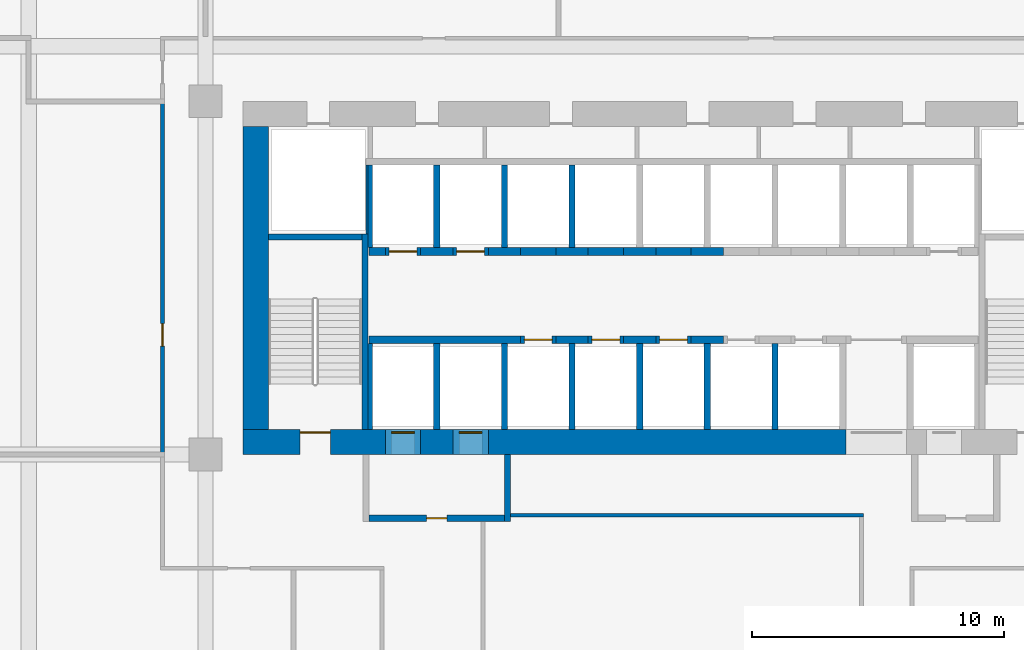
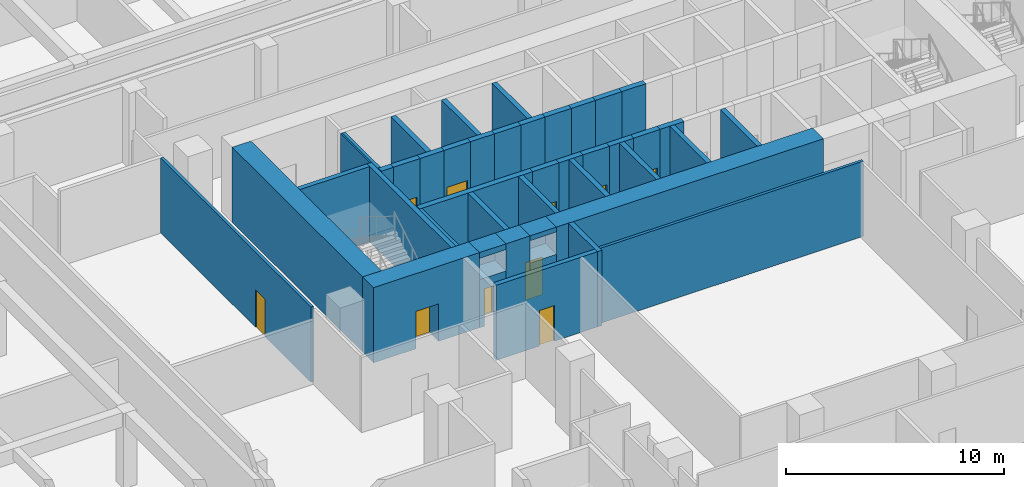
# One storey, part 17 of 35: 44 walls, 10 doors, 10 openings.
"""IFC4 building model written with IfcOpenShell, lengths in metres."""

from ifc_helpers import new_model, si_unit, direction, frame, frame_2d, origin, place, context, subcontext, project, spatial, rectangle, extrude, source, transform, mapped, material, layer, layer_set, type_object, element, fill, save


model = new_model("IFC4")

# Units and contexts
model_context = context("Model", 3, precision=1e-05, world=origin(), true_north=direction((0.0, 1.0)))
body_context = subcontext(model_context, "Body", "Model", "MODEL_VIEW")
ifc_project = project(units=[si_unit("LENGTHUNIT", "METRE"), si_unit("AREAUNIT", "SQUARE_METRE"), si_unit("VOLUMEUNIT", "CUBIC_METRE"), si_unit("PLANEANGLEUNIT", "RADIAN"), si_unit("MASSUNIT", "GRAM", prefix="KILO")], contexts=[model_context])

# Site, building, storey
site_placement = place(None, origin())
site = spatial("IfcSite", under=ifc_project, at=site_placement, CompositionType="ELEMENT")
building_placement = place(site_placement, origin())
building = spatial("IfcBuilding", under=site, at=building_placement, Name="Kilnfold Tower and Market Hall", CompositionType="ELEMENT")
storey_placement = place(building_placement, frame((0.0, 0.0, 22.5)))
storey = spatial("IfcBuildingStorey", under=building, at=storey_placement, Name="L04", CompositionType="ELEMENT", Elevation=22.5)

# Wall, opening, door
ifc_material_1 = material(Name="Gypsum board on steel studs", Category="steel")
ifc_layer_1 = layer(ifc_material_1, 0.14990234375)
ifc_layer_set_1 = layer_set([ifc_layer_1], Name="Gypsum board on steel studs")
wall_type_1 = type_object("IfcWallType", Name="WALL CORRIDOR 150", PredefinedType="PARTITIONING", material=ifc_layer_set_1)
wall_1_placement = place(storey_placement, frame((-19.199951171875, 8.090087890625, 0.0), z_axis=(0.0, 0.0, 1.0), x_axis=(0.0, 1.0, 0.0)))
wall_1 = element("IfcWall", 1, at=wall_1_placement, inside=storey, type_object=wall_type_1, Name="Partition LY05.31", PredefinedType="PARTITIONING", context=body_context, shape_type="SweptSolid", body=[
    extrude(rectangle(XDim=13.81982421875, YDim=0.14990234375, at=frame_2d((6.909912109375, 0.0))), origin(), (0.0, 0.0, 1.0), 4.219970703125),
])
opening_1_placement = place(wall_1_placement, frame((4.2060546875, 0.0, 0.0)))
opening_1 = element("IfcOpeningElement", 2, at=opening_1_placement, cuts=wall_1, Name="Opening D2", PredefinedType="OPENING", context=body_context, shape_type="SweptSolid", body=[
    extrude(rectangle(XDim=0.89990234375, YDim=2.10009765625, at=frame_2d((0.449951171875, 1.050048828125))), frame((0.0, 0.0849609375, 0.0), z_axis=(0.0, -1.0, 0.0), x_axis=(1.0, 0.0, 0.0)), (0.0, 0.0, 1.0), 0.169921875),
])
ifc_material_2 = material(Name="Timber veneer door leaf in steel frame", Category="steel")
door_type_1 = type_object("IfcDoorType", Name="DOOR ROOM 900 X2100", OperationType="NOTDEFINED", PredefinedType="DOOR", material=ifc_material_2)
door_1_placement = place(opening_1_placement, origin())
door_1 = element("IfcDoor", 3, at=door_1_placement, inside=storey, type_object=door_type_1, Name="Door D2", OperationType="SINGLE_SWING_RIGHT", OverallHeight=2.10009765625, OverallWidth=0.89990234375, PredefinedType="DOOR", context=body_context, shape_type="SweptSolid", body=[
    extrude(rectangle(XDim=0.89990234375, YDim=2.10009765625, at=frame_2d((0.449951171875, 1.050048828125))), frame((0.0, 0.02490234375, 0.0), z_axis=(0.0, -1.0, 0.0), x_axis=(1.0, 0.0, 0.0)), (0.0, 0.0, 1.0), 0.050048828125),
])
fill(opening_1, door_1)

# Wall
wall_2_placement = place(storey_placement, frame((-5.39990234375, 5.60009765625, 0.0), z_axis=(0.0, 0.0, 1.0), x_axis=(1.0, 0.0, 0.0)))
element("IfcWall", 4, at=wall_2_placement, inside=storey, type_object=wall_type_1, Name="Partition LY05.37", PredefinedType="PARTITIONING", context=body_context, shape_type="SweptSolid", body=[
    extrude(rectangle(XDim=13.974853515625, YDim=0.14990234375, at=frame_2d((6.9873046875, 0.0))), origin(), (0.0, 0.0, 1.0), 4.219970703125),
])

# Wall, opening, door
ifc_material_3 = material(Name="Concrete C80", Category="concrete")
ifc_layer_2 = layer(ifc_material_3, 1.0)
ifc_layer_set_2 = layer_set([ifc_layer_2], Name="Concrete C80")
wall_type_2 = type_object("IfcWallType", Name="CORE WALL 1000 C80", PredefinedType="SHEAR", material=ifc_layer_set_2)
shared_shape_1 = source(origin(), body_context, "Body", "SweptSolid", [
    extrude(rectangle(XDim=5.6298828125, YDim=1.0, at=frame_2d((2.81494140625, 0.0))), origin(), (0.0, 0.0, 1.0), 4.219970703125),
])
wall_3_placement = place(storey_placement, frame((-16.0, 8.5, 0.0), z_axis=(0.0, 0.0, 1.0), x_axis=(1.0, 0.0, 0.0)))
wall_3 = element("IfcWall", 5, at=wall_3_placement, inside=storey, type_object=wall_type_2, Name="Core outer wall south", PredefinedType="SHEAR", context=body_context, shape_type="MappedRepresentation", body=[
    mapped(shared_shape_1, transform((0.0, 0.0, 0.0))),
])
opening_2_placement = place(wall_3_placement, frame((2.25, 0.0, 0.0)))
opening_2 = element("IfcOpeningElement", 6, at=opening_2_placement, cuts=wall_3, Name="Opening SD1", PredefinedType="OPENING", context=body_context, shape_type="SweptSolid", body=[
    extrude(rectangle(XDim=1.199951171875, YDim=2.10009765625, at=frame_2d((0.60009765625, 1.050048828125))), frame((0.0, 0.510009765625, 0.0), z_axis=(0.0, -1.0, 0.0), x_axis=(1.0, 0.0, 0.0)), (0.0, 0.0, 1.0), 1.02001953125),
])
ifc_material_4 = material(Name="Steel door set with fire-resisting leaf", Category="steel")
door_type_2 = type_object("IfcDoorType", Name="STAIR FLOOR DOOR 1200X2100", OperationType="NOTDEFINED", PredefinedType="DOOR", material=ifc_material_4)
door_2_placement = place(opening_2_placement, origin())
door_2 = element("IfcDoor", 7, at=door_2_placement, inside=storey, type_object=door_type_2, Name="Exit stair ST1 door", OperationType="DOUBLE_DOOR_SINGLE_SWING", OverallHeight=2.10009765625, OverallWidth=1.199951171875, PredefinedType="DOOR", context=body_context, shape_type="SweptSolid", body=[
    extrude(rectangle(XDim=1.199951171875, YDim=2.10009765625, at=frame_2d((0.60009765625, 1.050048828125))), frame((0.0, 0.40478515625, 0.0), z_axis=(0.0, -1.0, 0.0), x_axis=(1.0, 0.0, 0.0)), (0.0, 0.0, 1.0), 0.050048828125),
])
fill(opening_2, door_2)

# Walls
shared_shape_2 = source(origin(), body_context, "Body", "SweptSolid", [
    extrude(rectangle(XDim=1.280029296875, YDim=1.0, at=frame_2d((0.64013671875, 0.0))), origin(), (0.0, 0.0, 1.0), 4.219970703125),
])
wall_4_placement = place(storey_placement, frame((-8.969970703125, 8.5, 0.0), z_axis=(0.0, 0.0, 1.0), x_axis=(1.0, 0.0, 0.0)))
element("IfcWall", 8, at=wall_4_placement, inside=storey, type_object=wall_type_2, Name="Core outer wall south", PredefinedType="SHEAR", context=body_context, shape_type="MappedRepresentation", body=[
    mapped(shared_shape_2, transform((0.0, 0.0, 0.0))),
])
shared_shape_3 = source(origin(), body_context, "Body", "SweptSolid", [
    extrude(rectangle(XDim=14.179931640625, YDim=1.0, at=frame_2d((7.08984375, 0.0))), origin(), (0.0, 0.0, 1.0), 4.219970703125),
])
wall_5_placement = place(storey_placement, frame((-6.2900390625, 8.5, 0.0), z_axis=(0.0, 0.0, 1.0), x_axis=(1.0, 0.0, 0.0)))
element("IfcWall", 9, at=wall_5_placement, inside=storey, type_object=wall_type_2, Name="Core outer wall south", PredefinedType="SHEAR", context=body_context, shape_type="MappedRepresentation", body=[
    mapped(shared_shape_3, transform((0.0, 0.0, 0.0))),
])
shared_shape_4 = source(origin(), body_context, "Body", "SweptSolid", [
    extrude(rectangle(XDim=12.0, YDim=1.0, at=frame_2d((6.0, 0.0))), origin(), (0.0, 0.0, 1.0), 4.219970703125),
])
wall_6_placement = place(storey_placement, frame((-15.5, 9.0, 0.0), z_axis=(0.0, 0.0, 1.0), x_axis=(0.0, 1.0, 0.0)))
element("IfcWall", 10, at=wall_6_placement, inside=storey, type_object=wall_type_2, Name="Core outer wall west", PredefinedType="SHEAR", context=body_context, shape_type="MappedRepresentation", body=[
    mapped(shared_shape_4, transform((0.0, 0.0, 0.0))),
])
ifc_material_5 = material(Name="Concrete C80", Category="concrete")
ifc_layer_3 = layer(ifc_material_5, 0.25)
ifc_layer_set_3 = layer_set([ifc_layer_3], Name="Concrete C80")
wall_type_3 = type_object("IfcWallType", Name="CORE WALL 250 C80", PredefinedType="SHEAR", material=ifc_layer_set_3)
shared_shape_5 = source(origin(), body_context, "Body", "SweptSolid", [
    extrude(rectangle(XDim=7.75, YDim=0.25, at=frame_2d((3.875, 0.0))), origin(), (0.0, 0.0, 1.0), 4.219970703125),
])
wall_7_placement = place(storey_placement, frame((-11.175048828125, 9.0, 0.0), z_axis=(0.0, 0.0, 1.0), x_axis=(0.0, 1.0, 0.0)))
element("IfcWall", 11, at=wall_7_placement, inside=storey, type_object=wall_type_3, Name="Stair enclosure ST1", PredefinedType="SHEAR", context=body_context, shape_type="MappedRepresentation", body=[
    mapped(shared_shape_5, transform((0.0, 0.0, 0.0))),
])
shared_shape_6 = source(origin(), body_context, "Body", "SweptSolid", [
    extrude(rectangle(XDim=3.699951171875, YDim=0.25, at=frame_2d((1.85009765625, 0.0))), origin(), (0.0, 0.0, 1.0), 4.219970703125),
])
wall_8_placement = place(storey_placement, frame((-15.0, 16.625, 0.0), z_axis=(0.0, 0.0, 1.0), x_axis=(1.0, 0.0, 0.0)))
element("IfcWall", 12, at=wall_8_placement, inside=storey, type_object=wall_type_3, Name="Stair enclosure ST1", PredefinedType="SHEAR", context=body_context, shape_type="MappedRepresentation", body=[
    mapped(shared_shape_6, transform((0.0, 0.0, 0.0))),
])
ifc_material_6 = material(Name="Concrete C80", Category="concrete")
ifc_layer_4 = layer(ifc_material_6, 0.300048828125)
ifc_layer_set_4 = layer_set([ifc_layer_4], Name="Concrete C80")
wall_type_4 = type_object("IfcWallType", Name="CORE WALL 300 C80", PredefinedType="SHEAR", material=ifc_layer_set_4)
shared_shape_7 = source(origin(), body_context, "Body", "SweptSolid", [
    extrude(rectangle(XDim=6.0, YDim=0.300048828125, at=frame_2d((3.0, 0.0))), origin(), (0.0, 0.0, 1.0), 4.219970703125),
])
wall_9_placement = place(storey_placement, frame((-11.010009765625, 12.550048828125, 0.0), z_axis=(0.0, 0.0, 1.0), x_axis=(1.0, 0.0, 0.0)))
element("IfcWall", 13, at=wall_9_placement, inside=storey, type_object=wall_type_4, Name="Core spine wall", PredefinedType="SHEAR", context=body_context, shape_type="MappedRepresentation", body=[
    mapped(shared_shape_7, transform((0.0, 0.0, 0.0))),
])
shared_shape_8 = source(origin(), body_context, "Body", "SweptSolid", [
    extrude(rectangle(XDim=1.280029296875, YDim=0.300048828125, at=frame_2d((0.64013671875, 0.0))), origin(), (0.0, 0.0, 1.0), 4.219970703125),
])
for number, where, z_axis, x_axis, name in (
    (14, (-3.610107421875, 12.550048828125, 0.0), (0.0, 0.0, 1.0), (1.0, 0.0, 0.0), "Core spine wall"),
    (15, (-0.929931640625, 12.550048828125, 0.0), (0.0, 0.0, 1.0), (1.0, 0.0, 0.0), "Core spine wall"),
    (16, (1.75, 12.550048828125, 0.0), (0.0, 0.0, 1.0), (1.0, 0.0, 0.0), "Core spine wall"),
    (17, (-8.969970703125, 16.050048828125, 0.0), (0.0, 0.0, 1.0), (1.0, 0.0, 0.0), "Core spine wall"),
    (18, (-6.2900390625, 16.050048828125, 0.0), (0.0, 0.0, 1.0), (1.0, 0.0, 0.0), "Core spine wall"),
    (19, (-3.610107421875, 16.050048828125, 0.0), (0.0, 0.0, 1.0), (1.0, 0.0, 0.0), "Core spine wall"),
    (20, (-0.929931640625, 16.050048828125, 0.0), (0.0, 0.0, 1.0), (1.0, 0.0, 0.0), "Core spine wall"),
    (21, (1.75, 16.050048828125, 0.0), (0.0, 0.0, 1.0), (1.0, 0.0, 0.0), "Core spine wall"),
):
    element("IfcWall", number, at=place(storey_placement, frame(where, z_axis=z_axis, x_axis=x_axis)), inside=storey, type_object=wall_type_4, Name=name, PredefinedType="SHEAR", context=body_context, shape_type="MappedRepresentation", body=[
        mapped(shared_shape_8, transform((0.0, 0.0, 0.0))),
    ])
shared_shape_9 = source(origin(), body_context, "Body", "SweptSolid", [
    extrude(rectangle(XDim=0.639892578125, YDim=0.300048828125, at=frame_2d((0.31982421875, 0.0))), origin(), (0.0, 0.0, 1.0), 4.219970703125),
])
wall_10_placement = place(storey_placement, frame((-11.010009765625, 16.050048828125, 0.0), z_axis=(0.0, 0.0, 1.0), x_axis=(1.0, 0.0, 0.0)))
element("IfcWall", 22, at=wall_10_placement, inside=storey, type_object=wall_type_4, Name="Core spine wall", PredefinedType="SHEAR", context=body_context, shape_type="MappedRepresentation", body=[
    mapped(shared_shape_9, transform((0.0, 0.0, 0.0))),
])
shared_shape_10 = source(origin(), body_context, "Body", "SweptSolid", [
    extrude(rectangle(XDim=1.400146484375, YDim=1.0, at=frame_2d((0.7001953125, 0.0))), origin(), (0.0, 0.0, 1.0), 0.320068359375),
])
wall_11_placement = place(storey_placement, frame((-10.3701171875, 8.5, 3.89990234375), z_axis=(0.0, 0.0, 1.0), x_axis=(1.0, 0.0, 0.0)))
element("IfcWall", 23, at=wall_11_placement, inside=storey, type_object=wall_type_2, Name="Core wall over opening", PredefinedType="SHEAR", context=body_context, shape_type="MappedRepresentation", body=[
    mapped(shared_shape_10, transform((0.0, 0.0, 0.0))),
])
shared_shape_11 = source(origin(), body_context, "Body", "SweptSolid", [
    extrude(rectangle(XDim=1.39990234375, YDim=1.0, at=frame_2d((0.699951171875, 0.0))), origin(), (0.0, 0.0, 1.0), 0.27001953125),
])
wall_12_placement = place(storey_placement, frame((-7.68994140625, 8.5, 3.949951171875), z_axis=(0.0, 0.0, 1.0), x_axis=(1.0, 0.0, 0.0)))
element("IfcWall", 24, at=wall_12_placement, inside=storey, type_object=wall_type_2, Name="Core wall over opening", PredefinedType="SHEAR", context=body_context, shape_type="MappedRepresentation", body=[
    mapped(shared_shape_11, transform((0.0, 0.0, 0.0))),
])

# Wall, opening, door
ifc_material_7 = material(Name="Gypsum shaft wall system")
ifc_layer_5 = layer(ifc_material_7, 1.0)
ifc_layer_set_5 = layer_set([ifc_layer_5], Name="Gypsum shaft wall system")
wall_type_5 = type_object("IfcWallType", Name="LOBBY WALL 1000", PredefinedType="PARTITIONING", material=ifc_layer_set_5)
shared_shape_12 = source(origin(), body_context, "Body", "SweptSolid", [
    extrude(rectangle(XDim=1.400146484375, YDim=1.0, at=frame_2d((0.7001953125, 0.0))), origin(), (0.0, 0.0, 1.0), 2.699951171875),
])
wall_13_placement = place(storey_placement, frame((-10.3701171875, 8.5, 0.0), z_axis=(0.0, 0.0, 1.0), x_axis=(1.0, 0.0, 0.0)))
wall_13 = element("IfcWall", 25, at=wall_13_placement, inside=storey, type_object=wall_type_5, Name="Core wall infill", PredefinedType="PARTITIONING", context=body_context, shape_type="MappedRepresentation", body=[
    mapped(shared_shape_12, transform((0.0, 0.0, 0.0))),
])
opening_3_placement = place(wall_13_placement, frame((0.25, 0.0, 0.0)))
opening_3 = element("IfcOpeningElement", 26, at=opening_3_placement, cuts=wall_13, Name="Opening LD1", PredefinedType="OPENING", context=body_context, shape_type="SweptSolid", body=[
    extrude(rectangle(XDim=0.89990234375, YDim=2.10009765625, at=frame_2d((0.449951171875, 1.050048828125))), frame((0.0, 0.510009765625, 0.0), z_axis=(0.0, -1.0, 0.0), x_axis=(1.0, 0.0, 0.0)), (0.0, 0.0, 1.0), 1.02001953125),
])
ifc_material_8 = material(Name="Steel door set with fire-resisting leaf", Category="steel")
door_type_3 = type_object("IfcDoorType", Name="FIREFIGHTING LANDING DOOR 900X2100", OperationType="NOTDEFINED", PredefinedType="DOOR", material=ifc_material_8)
door_3_placement = place(opening_3_placement, origin())
door_3 = element("IfcDoor", 27, at=door_3_placement, inside=storey, type_object=door_type_3, Name="Landing door FF1", OperationType="SLIDING_TO_LEFT", OverallHeight=2.10009765625, OverallWidth=0.89990234375, PredefinedType="DOOR", context=body_context, shape_type="SweptSolid", body=[
    extrude(rectangle(XDim=0.89990234375, YDim=2.10009765625, at=frame_2d((0.449951171875, 1.050048828125))), frame((0.0, 0.40478515625, 0.0), z_axis=(0.0, -1.0, 0.0), x_axis=(1.0, 0.0, 0.0)), (0.0, 0.0, 1.0), 0.050048828125),
])
fill(opening_3, door_3)

shared_shape_13 = source(origin(), body_context, "Body", "SweptSolid", [
    extrude(rectangle(XDim=1.39990234375, YDim=1.0, at=frame_2d((0.699951171875, 0.0))), origin(), (0.0, 0.0, 1.0), 2.699951171875),
])
wall_14_placement = place(storey_placement, frame((-7.68994140625, 8.5, 0.0), z_axis=(0.0, 0.0, 1.0), x_axis=(1.0, 0.0, 0.0)))
wall_14 = element("IfcWall", 28, at=wall_14_placement, inside=storey, type_object=wall_type_5, Name="Core wall infill", PredefinedType="PARTITIONING", context=body_context, shape_type="MappedRepresentation", body=[
    mapped(shared_shape_13, transform((0.0, 0.0, 0.0))),
])
opening_4_placement = place(wall_14_placement, frame((0.25, 0.0, 0.0)))
opening_4 = element("IfcOpeningElement", 29, at=opening_4_placement, cuts=wall_14, Name="Opening LD1", PredefinedType="OPENING", context=body_context, shape_type="SweptSolid", body=[
    extrude(rectangle(XDim=0.89990234375, YDim=2.10009765625, at=frame_2d((0.449951171875, 1.050048828125))), frame((0.0, 0.510009765625, 0.0), z_axis=(0.0, -1.0, 0.0), x_axis=(1.0, 0.0, 0.0)), (0.0, 0.0, 1.0), 1.02001953125),
])
door_4_placement = place(opening_4_placement, origin())
door_4 = element("IfcDoor", 30, at=door_4_placement, inside=storey, type_object=door_type_3, Name="Landing door FF2", OperationType="SLIDING_TO_RIGHT", OverallHeight=2.10009765625, OverallWidth=0.89990234375, PredefinedType="DOOR", context=body_context, shape_type="SweptSolid", body=[
    extrude(rectangle(XDim=0.89990234375, YDim=2.10009765625, at=frame_2d((0.449951171875, 1.050048828125))), frame((0.0, 0.40478515625, 0.0), z_axis=(0.0, -1.0, 0.0), x_axis=(1.0, 0.0, 0.0)), (0.0, 0.0, 1.0), 0.050048828125),
])
fill(opening_4, door_4)

ifc_material_9 = material(Name="Gypsum shaft wall system")
ifc_layer_6 = layer(ifc_material_9, 0.300048828125)
ifc_layer_set_6 = layer_set([ifc_layer_6], Name="Gypsum shaft wall system")
wall_type_6 = type_object("IfcWallType", Name="SHAFT WALL 300", PredefinedType="PARTITIONING", material=ifc_layer_set_6)
shared_shape_14 = source(origin(), body_context, "Body", "SweptSolid", [
    extrude(rectangle(XDim=1.39990234375, YDim=0.300048828125, at=frame_2d((0.699951171875, 0.0))), origin(), (0.0, 0.0, 1.0), 4.219970703125),
])
wall_15_placement = place(storey_placement, frame((-5.010009765625, 12.550048828125, 0.0), z_axis=(0.0, 0.0, 1.0), x_axis=(1.0, 0.0, 0.0)))
wall_15 = element("IfcWall", 31, at=wall_15_placement, inside=storey, type_object=wall_type_6, Name="Lift shaft front wall", PredefinedType="PARTITIONING", context=body_context, shape_type="MappedRepresentation", body=[
    mapped(shared_shape_14, transform((0.0, 0.0, 0.0))),
])
opening_5_placement = place(wall_15_placement, frame((0.14990234375, 0.0, 0.0)))
opening_5 = element("IfcOpeningElement", 32, at=opening_5_placement, cuts=wall_15, Name="Opening LD2", PredefinedType="OPENING", context=body_context, shape_type="SweptSolid", body=[
    extrude(rectangle(XDim=1.10009765625, YDim=2.10009765625, at=frame_2d((0.550048828125, 1.050048828125))), frame((0.0, 0.16015625, 0.0), z_axis=(0.0, -1.0, 0.0), x_axis=(1.0, 0.0, 0.0)), (0.0, 0.0, 1.0), 0.320068359375),
])
ifc_material_10 = material(Name="Steel door set with fire-resisting leaf", Category="steel")
door_type_4 = type_object("IfcDoorType", Name="LANDING DOOR 1100X2100", OperationType="NOTDEFINED", PredefinedType="DOOR", material=ifc_material_10)
door_5_placement = place(opening_5_placement, origin())
door_5 = element("IfcDoor", 33, at=door_5_placement, inside=storey, type_object=door_type_4, Name="Landing door LR1", OperationType="DOUBLE_DOOR_SLIDING", OverallHeight=2.10009765625, OverallWidth=1.10009765625, PredefinedType="DOOR", context=body_context, shape_type="SweptSolid", body=[
    extrude(rectangle(XDim=1.10009765625, YDim=2.10009765625, at=frame_2d((0.550048828125, 1.050048828125))), frame((0.0, 0.02490234375, 0.0), z_axis=(0.0, -1.0, 0.0), x_axis=(1.0, 0.0, 0.0)), (0.0, 0.0, 1.0), 0.050048828125),
])
fill(opening_5, door_5)

wall_16_placement = place(storey_placement, frame((0.35009765625, 12.550048828125, 0.0), z_axis=(0.0, 0.0, 1.0), x_axis=(1.0, 0.0, 0.0)))
wall_16 = element("IfcWall", 34, at=wall_16_placement, inside=storey, type_object=wall_type_6, Name="Lift shaft front wall", PredefinedType="PARTITIONING", context=body_context, shape_type="MappedRepresentation", body=[
    mapped(shared_shape_14, transform((0.0, 0.0, 0.0))),
])
opening_6_placement = place(wall_16_placement, frame((0.14990234375, 0.0, 0.0)))
opening_6 = element("IfcOpeningElement", 35, at=opening_6_placement, cuts=wall_16, Name="Opening LD2", PredefinedType="OPENING", context=body_context, shape_type="SweptSolid", body=[
    extrude(rectangle(XDim=1.10009765625, YDim=2.10009765625, at=frame_2d((0.550048828125, 1.050048828125))), frame((0.0, 0.16015625, 0.0), z_axis=(0.0, -1.0, 0.0), x_axis=(1.0, 0.0, 0.0)), (0.0, 0.0, 1.0), 0.320068359375),
])
door_6_placement = place(opening_6_placement, origin())
door_6 = element("IfcDoor", 36, at=door_6_placement, inside=storey, type_object=door_type_4, Name="Landing door LR3", OperationType="DOUBLE_DOOR_SLIDING", OverallHeight=2.10009765625, OverallWidth=1.10009765625, PredefinedType="DOOR", context=body_context, shape_type="SweptSolid", body=[
    extrude(rectangle(XDim=1.10009765625, YDim=2.10009765625, at=frame_2d((0.550048828125, 1.050048828125))), frame((0.0, 0.02490234375, 0.0), z_axis=(0.0, -1.0, 0.0), x_axis=(1.0, 0.0, 0.0)), (0.0, 0.0, 1.0), 0.050048828125),
])
fill(opening_6, door_6)

wall_17_placement = place(storey_placement, frame((-7.68994140625, 16.050048828125, 0.0), z_axis=(0.0, 0.0, 1.0), x_axis=(1.0, 0.0, 0.0)))
wall_17 = element("IfcWall", 37, at=wall_17_placement, inside=storey, type_object=wall_type_6, Name="Lift shaft front wall", PredefinedType="PARTITIONING", context=body_context, shape_type="MappedRepresentation", body=[
    mapped(shared_shape_14, transform((0.0, 0.0, 0.0))),
])
opening_7_placement = place(wall_17_placement, frame((0.14990234375, 0.0, 0.0)))
opening_7 = element("IfcOpeningElement", 38, at=opening_7_placement, cuts=wall_17, Name="Opening LD2", PredefinedType="OPENING", context=body_context, shape_type="SweptSolid", body=[
    extrude(rectangle(XDim=1.10009765625, YDim=2.10009765625, at=frame_2d((0.550048828125, 1.050048828125))), frame((0.0, 0.16015625, 0.0), z_axis=(0.0, -1.0, 0.0), x_axis=(1.0, 0.0, 0.0)), (0.0, 0.0, 1.0), 0.320068359375),
])
door_7_placement = place(opening_7_placement, origin())
door_7 = element("IfcDoor", 39, at=door_7_placement, inside=storey, type_object=door_type_4, Name="Landing door LR8", OperationType="DOUBLE_DOOR_SLIDING", OverallHeight=2.10009765625, OverallWidth=1.10009765625, PredefinedType="DOOR", context=body_context, shape_type="SweptSolid", body=[
    extrude(rectangle(XDim=1.10009765625, YDim=2.10009765625, at=frame_2d((0.550048828125, 1.050048828125))), frame((0.0, 0.02490234375, 0.0), z_axis=(0.0, -1.0, 0.0), x_axis=(1.0, 0.0, 0.0)), (0.0, 0.0, 1.0), 0.050048828125),
])
fill(opening_7, door_7)

# Walls
for number, where, z_axis, x_axis, name in (
    (40, (-5.010009765625, 16.050048828125, 0.0), (0.0, 0.0, 1.0), (1.0, 0.0, 0.0), "Lift shaft front wall"),
    (41, (0.35009765625, 16.050048828125, 0.0), (0.0, 0.0, 1.0), (1.0, 0.0, 0.0), "Lift shaft front wall"),
):
    element("IfcWall", number, at=place(storey_placement, frame(where, z_axis=z_axis, x_axis=x_axis)), inside=storey, type_object=wall_type_6, Name=name, PredefinedType="PARTITIONING", context=body_context, shape_type="MappedRepresentation", body=[
        mapped(shared_shape_14, transform((0.0, 0.0, 0.0))),
    ])

# Wall, opening, door
shared_shape_15 = source(origin(), body_context, "Body", "SweptSolid", [
    extrude(rectangle(XDim=1.400146484375, YDim=0.300048828125, at=frame_2d((0.7001953125, 0.0))), origin(), (0.0, 0.0, 1.0), 4.219970703125),
])
wall_18_placement = place(storey_placement, frame((-2.330078125, 12.550048828125, 0.0), z_axis=(0.0, 0.0, 1.0), x_axis=(1.0, 0.0, 0.0)))
wall_18 = element("IfcWall", 42, at=wall_18_placement, inside=storey, type_object=wall_type_6, Name="Lift shaft front wall", PredefinedType="PARTITIONING", context=body_context, shape_type="MappedRepresentation", body=[
    mapped(shared_shape_15, transform((0.0, 0.0, 0.0))),
])
opening_8_placement = place(wall_18_placement, frame((0.14990234375, 0.0, 0.0)))
opening_8 = element("IfcOpeningElement", 43, at=opening_8_placement, cuts=wall_18, Name="Opening LD2", PredefinedType="OPENING", context=body_context, shape_type="SweptSolid", body=[
    extrude(rectangle(XDim=1.10009765625, YDim=2.10009765625, at=frame_2d((0.550048828125, 1.050048828125))), frame((0.0, 0.16015625, 0.0), z_axis=(0.0, -1.0, 0.0), x_axis=(1.0, 0.0, 0.0)), (0.0, 0.0, 1.0), 0.320068359375),
])
door_8_placement = place(opening_8_placement, origin())
door_8 = element("IfcDoor", 44, at=door_8_placement, inside=storey, type_object=door_type_4, Name="Landing door LR2", OperationType="DOUBLE_DOOR_SLIDING", OverallHeight=2.10009765625, OverallWidth=1.10009765625, PredefinedType="DOOR", context=body_context, shape_type="SweptSolid", body=[
    extrude(rectangle(XDim=1.10009765625, YDim=2.10009765625, at=frame_2d((0.550048828125, 1.050048828125))), frame((0.0, 0.02490234375, 0.0), z_axis=(0.0, -1.0, 0.0), x_axis=(1.0, 0.0, 0.0)), (0.0, 0.0, 1.0), 0.050048828125),
])
fill(opening_8, door_8)

wall_19_placement = place(storey_placement, frame((-10.3701171875, 16.050048828125, 0.0), z_axis=(0.0, 0.0, 1.0), x_axis=(1.0, 0.0, 0.0)))
wall_19 = element("IfcWall", 45, at=wall_19_placement, inside=storey, type_object=wall_type_6, Name="Lift shaft front wall", PredefinedType="PARTITIONING", context=body_context, shape_type="MappedRepresentation", body=[
    mapped(shared_shape_15, transform((0.0, 0.0, 0.0))),
])
opening_9_placement = place(wall_19_placement, frame((0.14990234375, 0.0, 0.0)))
opening_9 = element("IfcOpeningElement", 46, at=opening_9_placement, cuts=wall_19, Name="Opening LD2", PredefinedType="OPENING", context=body_context, shape_type="SweptSolid", body=[
    extrude(rectangle(XDim=1.10009765625, YDim=2.10009765625, at=frame_2d((0.550048828125, 1.050048828125))), frame((0.0, 0.16015625, 0.0), z_axis=(0.0, -1.0, 0.0), x_axis=(1.0, 0.0, 0.0)), (0.0, 0.0, 1.0), 0.320068359375),
])
door_9_placement = place(opening_9_placement, origin())
door_9 = element("IfcDoor", 47, at=door_9_placement, inside=storey, type_object=door_type_4, Name="Landing door LR7", OperationType="DOUBLE_DOOR_SLIDING", OverallHeight=2.10009765625, OverallWidth=1.10009765625, PredefinedType="DOOR", context=body_context, shape_type="SweptSolid", body=[
    extrude(rectangle(XDim=1.10009765625, YDim=2.10009765625, at=frame_2d((0.550048828125, 1.050048828125))), frame((0.0, 0.02490234375, 0.0), z_axis=(0.0, -1.0, 0.0), x_axis=(1.0, 0.0, 0.0)), (0.0, 0.0, 1.0), 0.050048828125),
])
fill(opening_9, door_9)

# Walls
wall_20_placement = place(storey_placement, frame((-2.330078125, 16.050048828125, 0.0), z_axis=(0.0, 0.0, 1.0), x_axis=(1.0, 0.0, 0.0)))
element("IfcWall", 48, at=wall_20_placement, inside=storey, type_object=wall_type_6, Name="Lift shaft front wall", PredefinedType="PARTITIONING", context=body_context, shape_type="MappedRepresentation", body=[
    mapped(shared_shape_15, transform((0.0, 0.0, 0.0))),
])
ifc_material_11 = material(Name="Gypsum shaft wall system")
ifc_layer_7 = layer(ifc_material_11, 0.25)
ifc_layer_set_7 = layer_set([ifc_layer_7], Name="Gypsum shaft wall system")
wall_type_7 = type_object("IfcWallType", Name="LOBBY WALL 250", PredefinedType="PARTITIONING", material=ifc_layer_set_7)
shared_shape_16 = source(origin(), body_context, "Body", "SweptSolid", [
    extrude(rectangle(XDim=2.64990234375, YDim=0.25, at=frame_2d((1.324951171875, 0.0))), origin(), (0.0, 0.0, 1.0), 4.219970703125),
])
wall_21_placement = place(storey_placement, frame((-5.52490234375, 5.35009765625, 0.0), z_axis=(0.0, 0.0, 1.0), x_axis=(0.0, 1.0, 0.0)))
element("IfcWall", 49, at=wall_21_placement, inside=storey, type_object=wall_type_7, Name="Firefighting lobby wall", PredefinedType="PARTITIONING", context=body_context, shape_type="MappedRepresentation", body=[
    mapped(shared_shape_16, transform((0.0, 0.0, 0.0))),
])

# Wall, opening, door
shared_shape_17 = source(origin(), body_context, "Body", "SweptSolid", [
    extrude(rectangle(XDim=5.360107421875, YDim=0.25, at=frame_2d((2.68017578125, 0.0))), origin(), (0.0, 0.0, 1.0), 4.219970703125),
])
wall_22_placement = place(storey_placement, frame((-11.010009765625, 5.47509765625, 0.0), z_axis=(0.0, 0.0, 1.0), x_axis=(1.0, 0.0, 0.0)))
wall_22 = element("IfcWall", 50, at=wall_22_placement, inside=storey, type_object=wall_type_7, Name="Firefighting lobby wall", PredefinedType="PARTITIONING", context=body_context, shape_type="MappedRepresentation", body=[
    mapped(shared_shape_17, transform((0.0, 0.0, 0.0))),
])
opening_10_placement = place(wall_22_placement, frame((2.280029296875, 0.0, 0.0)))
opening_10 = element("IfcOpeningElement", 51, at=opening_10_placement, cuts=wall_22, Name="Opening VD1", PredefinedType="OPENING", context=body_context, shape_type="SweptSolid", body=[
    extrude(rectangle(XDim=0.800048828125, YDim=2.0, at=frame_2d((0.39990234375, 1.0))), frame((0.0, 0.135009765625, 0.0), z_axis=(0.0, -1.0, 0.0), x_axis=(1.0, 0.0, 0.0)), (0.0, 0.0, 1.0), 0.27001953125),
])
ifc_material_12 = material(Name="Steel door set with fire-resisting leaf", Category="steel")
door_type_5 = type_object("IfcDoorType", Name="FIREFIGHTING LOBBY DOOR 800X2000", OperationType="NOTDEFINED", PredefinedType="DOOR", material=ifc_material_12)
door_10_placement = place(opening_10_placement, origin())
door_10 = element("IfcDoor", 52, at=door_10_placement, inside=storey, type_object=door_type_5, Name="Firefighting lobby door", OperationType="SINGLE_SWING_LEFT", OverallHeight=2.0, OverallWidth=0.800048828125, PredefinedType="DOOR", context=body_context, shape_type="SweptSolid", body=[
    extrude(rectangle(XDim=0.800048828125, YDim=2.0, at=frame_2d((0.39990234375, 1.0))), frame((0.0, 0.02490234375, 0.0), z_axis=(0.0, -1.0, 0.0), x_axis=(1.0, 0.0, 0.0)), (0.0, 0.0, 1.0), 0.050048828125),
])
fill(opening_10, door_10)

# Walls
ifc_material_13 = material(Name="Gypsum shaft wall system")
ifc_layer_8 = layer(ifc_material_13, 0.1650390625)
ifc_layer_set_8 = layer_set([ifc_layer_8], Name="Gypsum shaft wall system")
wall_type_8 = type_object("IfcWallType", Name="SHAFT WALL 165", PredefinedType="PARTITIONING", material=ifc_layer_set_8)
shared_shape_18 = source(origin(), body_context, "Body", "SweptSolid", [
    extrude(rectangle(XDim=3.275146484375, YDim=0.1650390625, at=frame_2d((1.6376953125, 0.0))), origin(), (0.0, 0.0, 1.0), 4.219970703125),
])
wall_23_placement = place(storey_placement, frame((-10.967529296875, 16.199951171875, 0.0), z_axis=(0.0, 0.0, 1.0), x_axis=(0.0, 1.0, 0.0)))
element("IfcWall", 53, at=wall_23_placement, inside=storey, type_object=wall_type_8, Name="Lift shaft wall", PredefinedType="PARTITIONING", context=body_context, shape_type="MappedRepresentation", body=[
    mapped(shared_shape_18, transform((0.0, 0.0, 0.0))),
])
ifc_material_14 = material(Name="Gypsum shaft wall system")
ifc_layer_9 = layer(ifc_material_14, 0.25)
ifc_layer_set_9 = layer_set([ifc_layer_9], Name="Gypsum shaft wall system")
wall_type_9 = type_object("IfcWallType", Name="SHAFT WALL 250", PredefinedType="PARTITIONING", material=ifc_layer_set_9)
shared_shape_19 = source(origin(), body_context, "Body", "SweptSolid", [
    extrude(rectangle(XDim=3.275146484375, YDim=0.25, at=frame_2d((1.6376953125, 0.0))), origin(), (0.0, 0.0, 1.0), 4.219970703125),
])
for number, where, z_axis, x_axis, name in (
    (54, (-2.969970703125, 16.199951171875, 0.0), (0.0, 0.0, 1.0), (0.0, 1.0, 0.0), "Lift shaft wall"),
    (55, (-5.64990234375, 16.199951171875, 0.0), (0.0, 0.0, 1.0), (0.0, 1.0, 0.0), "Lift shaft wall"),
    (56, (-8.330078125, 16.199951171875, 0.0), (0.0, 0.0, 1.0), (0.0, 1.0, 0.0), "Lift shaft wall"),
):
    element("IfcWall", number, at=place(storey_placement, frame(where, z_axis=z_axis, x_axis=x_axis)), inside=storey, type_object=wall_type_9, Name=name, PredefinedType="PARTITIONING", context=body_context, shape_type="MappedRepresentation", body=[
        mapped(shared_shape_19, transform((0.0, 0.0, 0.0))),
    ])
ifc_material_15 = material(Name="Gypsum shaft wall system")
ifc_layer_10 = layer(ifc_material_15, 0.0849609375)
ifc_layer_set_10 = layer_set([ifc_layer_10], Name="Gypsum shaft wall system")
wall_type_10 = type_object("IfcWallType", Name="SHAFT WALL 85", PredefinedType="PARTITIONING", material=ifc_layer_set_10)
shared_shape_20 = source(origin(), body_context, "Body", "SweptSolid", [
    extrude(rectangle(XDim=2.72509765625, YDim=0.0849609375, at=frame_2d((1.362548828125, 0.0))), origin(), (0.0, 0.0, 1.0), 4.219970703125),
])
wall_24_placement = place(storey_placement, frame((-11.092529296875, 16.75, 0.0), z_axis=(0.0, 0.0, 1.0), x_axis=(0.0, 1.0, 0.0)))
element("IfcWall", 57, at=wall_24_placement, inside=storey, type_object=wall_type_10, Name="Lift shaft wall", PredefinedType="PARTITIONING", context=body_context, shape_type="MappedRepresentation", body=[
    mapped(shared_shape_20, transform((0.0, 0.0, 0.0))),
])
shared_shape_21 = source(origin(), body_context, "Body", "SweptSolid", [
    extrude(rectangle(XDim=3.39990234375, YDim=0.25, at=frame_2d((1.699951171875, 0.0))), origin(), (0.0, 0.0, 1.0), 4.219970703125),
])
for number, where, z_axis, x_axis, name in (
    (58, (2.389892578125, 9.0, 0.0), (0.0, 0.0, 1.0), (0.0, 1.0, 0.0), "Lift shaft wall"),
    (59, (5.070068359375, 9.0, 0.0), (0.0, 0.0, 1.0), (0.0, 1.0, 0.0), "Lift shaft wall"),
    (60, (-0.2900390625, 9.0, 0.0), (0.0, 0.0, 1.0), (0.0, 1.0, 0.0), "Lift shaft wall"),
    (61, (-2.969970703125, 9.0, 0.0), (0.0, 0.0, 1.0), (0.0, 1.0, 0.0), "Lift shaft wall"),
    (62, (-5.64990234375, 9.0, 0.0), (0.0, 0.0, 1.0), (0.0, 1.0, 0.0), "Lift shaft wall"),
    (63, (-8.330078125, 9.0, 0.0), (0.0, 0.0, 1.0), (0.0, 1.0, 0.0), "Lift shaft wall"),
):
    element("IfcWall", number, at=place(storey_placement, frame(where, z_axis=z_axis, x_axis=x_axis)), inside=storey, type_object=wall_type_9, Name=name, PredefinedType="PARTITIONING", context=body_context, shape_type="MappedRepresentation", body=[
        mapped(shared_shape_21, transform((0.0, 0.0, 0.0))),
    ])
shared_shape_22 = source(origin(), body_context, "Body", "SweptSolid", [
    extrude(rectangle(XDim=3.39990234375, YDim=0.1650390625, at=frame_2d((1.699951171875, 0.0))), origin(), (0.0, 0.0, 1.0), 4.219970703125),
])
wall_25_placement = place(storey_placement, frame((-10.967529296875, 9.0, 0.0), z_axis=(0.0, 0.0, 1.0), x_axis=(0.0, 1.0, 0.0)))
element("IfcWall", 64, at=wall_25_placement, inside=storey, type_object=wall_type_8, Name="Lift shaft wall", PredefinedType="PARTITIONING", context=body_context, shape_type="MappedRepresentation", body=[
    mapped(shared_shape_22, transform((0.0, 0.0, 0.0))),
])

save(model, "model.ifc")
